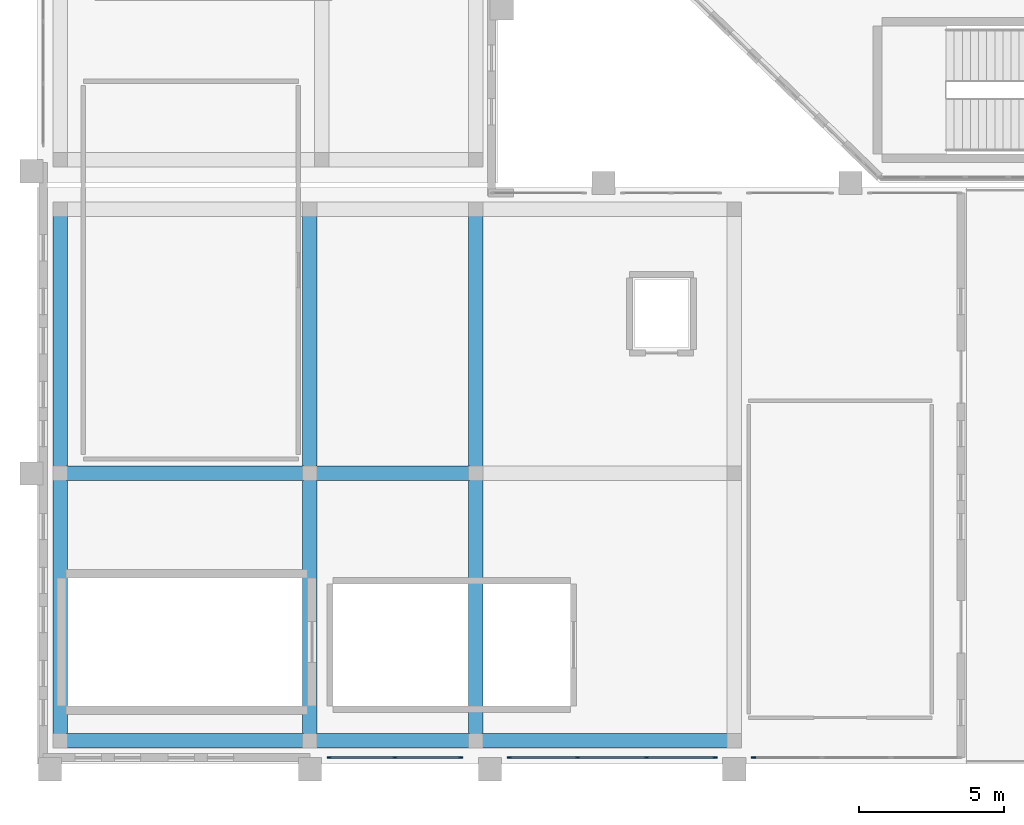
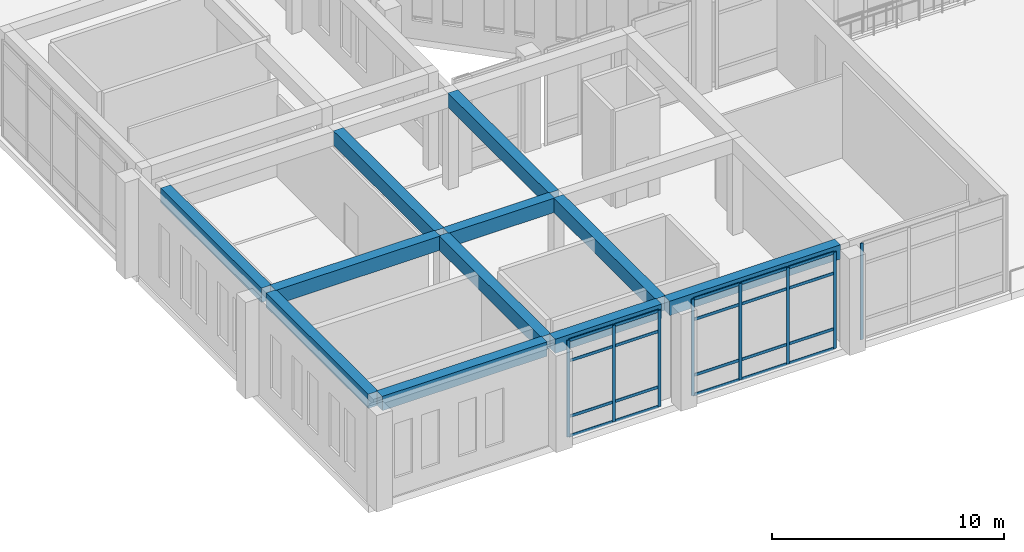
# One storey, part 3 of 55: 28 members, 11 beams, 3 elements without a shape of their own.
"""IFC4 building model written with IfcOpenShell, lengths in metres."""

from ifc_helpers import new_model, si_unit, derived_unit, direction, frame, origin, origin_2d, place, context, subcontext, project, spatial, rectangle, extrude, material, layer, layer_set, material_profile, profile_set, type_object, element, aggregate, save


model = new_model("IFC4")

# Units and contexts
model_context = context("Model", 3, precision=1e-05, world=origin(), true_north=direction((0.0, 1.0)))
body_context = subcontext(model_context, "Body", "Model", "MODEL_VIEW")
ifc_project = project(units=[si_unit("LENGTHUNIT", "METRE"), si_unit("AREAUNIT", "SQUARE_METRE"), si_unit("VOLUMEUNIT", "CUBIC_METRE"), si_unit("PLANEANGLEUNIT", "RADIAN"), si_unit("MASSUNIT", "GRAM", prefix="KILO"), derived_unit("THERMALTRANSMITTANCEUNIT", [(si_unit("MASSUNIT", "GRAM", prefix="KILO"), 1), (si_unit("TIMEUNIT", "SECOND"), -3), (si_unit("THERMODYNAMICTEMPERATUREUNIT", "KELVIN"), -1)])], contexts=[model_context])

# Site, building, storey
site_placement = place(None, origin())
site = spatial("IfcSite", under=ifc_project, at=site_placement, CompositionType="ELEMENT")
building_placement = place(site_placement, origin())
building = spatial("IfcBuilding", under=site, at=building_placement, Name="Valcora Ridge Arena", CompositionType="ELEMENT")
storey_placement = place(building_placement, frame((0.0, 0.0, 21.0)))
storey = spatial("IfcBuildingStorey", under=building, at=storey_placement, Name="L04", CompositionType="ELEMENT", Elevation=21.0)

# Beams
ifc_material_1 = material(Name="Concrete C40/50", Category="concrete")
ifc_material_profile_1 = material_profile(ifc_material_1, rectangle(XDim=0.5, YDim=0.75, at=origin_2d()), Name="RC 500x750")
ifc_profile_set_1 = profile_set([ifc_material_profile_1], Name="Concrete C40/50")
beam_type_1 = type_object("IfcBeamType", Name="TY-BEAM-B-RC500-X", PredefinedType="BEAM", material=ifc_profile_set_1)
beam_1_placement = place(storey_placement, frame((1.0, 10.0, 4.705078125), z_axis=(1.0, 0.0, 0.0), x_axis=(0.0, 1.0, 0.0)))
element("IfcBeam", 1, at=beam_1_placement, inside=storey, type_object=beam_type_1, Name="B-RC500-X BEM-B-RC500-X-0089", PredefinedType="BEAM", context=body_context, shape_type="SweptSolid", body=[
    extrude(rectangle(XDim=0.5, YDim=0.75, at=origin_2d()), origin(), (0.0, 0.0, 1.0), 8.199951171875),
])
beam_2_placement = place(storey_placement, frame((9.60009765625, 10.0, 4.705078125), z_axis=(1.0, 0.0, 0.0), x_axis=(0.0, 1.0, 0.0)))
element("IfcBeam", 2, at=beam_2_placement, inside=storey, type_object=beam_type_1, Name="B-RC500-X BEM-B-RC500-X-0090", PredefinedType="BEAM", context=body_context, shape_type="SweptSolid", body=[
    extrude(rectangle(XDim=0.5, YDim=0.75, at=origin_2d()), origin(), (0.0, 0.0, 1.0), 5.2998046875),
])
ifc_material_profile_2 = material_profile(ifc_material_1, rectangle(XDim=0.5, YDim=0.75, at=origin_2d()), Name="RC 500x750")
ifc_profile_set_2 = profile_set([ifc_material_profile_2], Name="Concrete C40/50")
beam_type_2 = type_object("IfcBeamType", Name="TY-BEAM-B-RC500-Y", PredefinedType="BEAM", material=ifc_profile_set_2)
beam_3_placement = place(storey_placement, frame((0.800048828125, 1.0, 4.705078125), z_axis=(0.0, 1.0, 0.0), x_axis=(-1.0, 0.0, 0.0)))
element("IfcBeam", 3, at=beam_3_placement, inside=storey, type_object=beam_type_2, Name="B-RC500-Y BEM-B-RC500-Y-0107", PredefinedType="BEAM", context=body_context, shape_type="SweptSolid", body=[
    extrude(rectangle(XDim=0.5, YDim=0.75, at=origin_2d()), origin(), (0.0, 0.0, 1.0), 8.800048828125),
])
beam_4_placement = place(storey_placement, frame((0.800048828125, 10.199951171875, 4.705078125), z_axis=(0.0, 1.0, 0.0), x_axis=(-1.0, 0.0, 0.0)))
element("IfcBeam", 4, at=beam_4_placement, inside=storey, type_object=beam_type_2, Name="B-RC500-Y BEM-B-RC500-Y-0108", PredefinedType="BEAM", context=body_context, shape_type="SweptSolid", body=[
    extrude(rectangle(XDim=0.5, YDim=0.75, at=origin_2d()), origin(), (0.0, 0.0, 1.0), 8.699951171875),
])
beam_5_placement = place(storey_placement, frame((9.39990234375, 1.0, 4.705078125), z_axis=(0.0, 1.0, 0.0), x_axis=(-1.0, 0.0, 0.0)))
element("IfcBeam", 5, at=beam_5_placement, inside=storey, type_object=beam_type_2, Name="B-RC500-Y BEM-B-RC500-Y-0110", PredefinedType="BEAM", context=body_context, shape_type="SweptSolid", body=[
    extrude(rectangle(XDim=0.5, YDim=0.75, at=origin_2d()), origin(), (0.0, 0.0, 1.0), 8.800048828125),
])
beam_6_placement = place(storey_placement, frame((9.39990234375, 10.199951171875, 4.705078125), z_axis=(0.0, 1.0, 0.0), x_axis=(-1.0, 0.0, 0.0)))
element("IfcBeam", 6, at=beam_6_placement, inside=storey, type_object=beam_type_2, Name="B-RC500-Y BEM-B-RC500-Y-0111", PredefinedType="BEAM", context=body_context, shape_type="SweptSolid", body=[
    extrude(rectangle(XDim=0.5, YDim=0.75, at=origin_2d()), origin(), (0.0, 0.0, 1.0), 8.699951171875),
])
beam_7_placement = place(storey_placement, frame((15.10009765625, 1.0, 4.705078125), z_axis=(0.0, 1.0, 0.0), x_axis=(-1.0, 0.0, 0.0)))
element("IfcBeam", 7, at=beam_7_placement, inside=storey, type_object=beam_type_2, Name="B-RC500-Y BEM-B-RC500-Y-0113", PredefinedType="BEAM", context=body_context, shape_type="SweptSolid", body=[
    extrude(rectangle(XDim=0.5, YDim=0.75, at=origin_2d()), origin(), (0.0, 0.0, 1.0), 8.800048828125),
])
beam_8_placement = place(storey_placement, frame((15.10009765625, 10.199951171875, 4.705078125), z_axis=(0.0, 1.0, 0.0), x_axis=(-1.0, 0.0, 0.0)))
element("IfcBeam", 8, at=beam_8_placement, inside=storey, type_object=beam_type_2, Name="B-RC500-Y BEM-B-RC500-Y-0114", PredefinedType="BEAM", context=body_context, shape_type="SweptSolid", body=[
    extrude(rectangle(XDim=0.5, YDim=0.75, at=origin_2d()), origin(), (0.0, 0.0, 1.0), 8.699951171875),
])
ifc_material_profile_3 = material_profile(ifc_material_1, rectangle(XDim=0.5, YDim=0.75, at=origin_2d()), Name="RC 500x750")
ifc_profile_set_3 = profile_set([ifc_material_profile_3], Name="Concrete C40/50")
beam_type_3 = type_object("IfcBeamType", Name="TY-BEAM-EB-RC500", PredefinedType="BEAM", material=ifc_profile_set_3)
beam_9_placement = place(storey_placement, frame((1.0, 0.800048828125, 4.705078125), z_axis=(1.0, 0.0, 0.0), x_axis=(0.0, 1.0, 0.0)))
element("IfcBeam", 9, at=beam_9_placement, inside=storey, type_object=beam_type_3, Name="EB-RC500 BEM-EB-RC500-0029", PredefinedType="BEAM", context=body_context, shape_type="SweptSolid", body=[
    extrude(rectangle(XDim=0.5, YDim=0.75, at=origin_2d()), origin(), (0.0, 0.0, 1.0), 8.199951171875),
])
beam_10_placement = place(storey_placement, frame((9.60009765625, 0.800048828125, 4.705078125), z_axis=(1.0, 0.0, 0.0), x_axis=(0.0, 1.0, 0.0)))
element("IfcBeam", 10, at=beam_10_placement, inside=storey, type_object=beam_type_3, Name="EB-RC500 BEM-EB-RC500-0030", PredefinedType="BEAM", context=body_context, shape_type="SweptSolid", body=[
    extrude(rectangle(XDim=0.5, YDim=0.75, at=origin_2d()), origin(), (0.0, 0.0, 1.0), 5.2998046875),
])
beam_11_placement = place(storey_placement, frame((15.300048828125, 0.800048828125, 4.705078125), z_axis=(1.0, 0.0, 0.0), x_axis=(0.0, 1.0, 0.0)))
element("IfcBeam", 11, at=beam_11_placement, inside=storey, type_object=beam_type_3, Name="EB-RC500 BEM-EB-RC500-0031", PredefinedType="BEAM", context=body_context, shape_type="SweptSolid", body=[
    extrude(rectangle(XDim=0.5, YDim=0.75, at=origin_2d()), origin(), (0.0, 0.0, 1.0), 8.5),
])

# Curtain wall, members
ifc_material_2 = material(Name="Anodised dark bronze architectural aluminium 6063-T6", Category="aluminium")
ifc_layer_1 = layer(ifc_material_2, 0.14990234375, Name="Anodised dark bronze architectural aluminium 6063-T6")
ifc_layer_set_1 = layer_set([ifc_layer_1], Name="Anodised dark bronze architectural aluminium 6063-T6")
curtain_wall_type_1 = type_object("IfcCurtainWallType", Name="TY-CURTAINWALL-CW-V4-CLUB-046X51", PredefinedType="NOTDEFINED", material=ifc_layer_set_1)
curtain_wall_1_placement = place(storey_placement, origin())
curtain_wall_1 = element("IfcCurtainWall", 12, at=curtain_wall_1_placement, inside=storey, type_object=curtain_wall_type_1, Name="CW-V4-CLUB-046X51 CW-0297", PredefinedType="NOTDEFINED")
ifc_material_profile_4 = material_profile(ifc_material_2, rectangle(XDim=0.050048828125, YDim=0.14990234375, at=origin_2d()), Name="ALU MULLION 50x150")
ifc_profile_set_4 = profile_set([ifc_material_profile_4], Name="Anodised dark bronze architectural aluminium 6063-T6")
member_type_1 = type_object("IfcMemberType", Name="TY-MEM-CWM-50x150", PredefinedType="MULLION", material=ifc_profile_set_4)
member_1_placement = place(storey_placement, frame((10.06494140625, 0.219970703125, 0.0), z_axis=(0.0, 0.0, 1.0), x_axis=(0.0, 1.0, 0.0)))
member_1 = element("IfcMember", 13, at=member_1_placement, type_object=member_type_1, Name="CW-0297/CWM-50x150/M00", PredefinedType="MULLION", context=body_context, shape_type="SweptSolid", body=[
    extrude(rectangle(XDim=0.050048828125, YDim=0.14990234375, at=origin_2d()), origin(), (0.0, 0.0, 1.0), 5.080078125),
])
member_2_placement = place(storey_placement, frame((12.324951171875, 0.219970703125, 0.0), z_axis=(0.0, 0.0, 1.0), x_axis=(0.0, 1.0, 0.0)))
member_2 = element("IfcMember", 14, at=member_2_placement, type_object=member_type_1, Name="CW-0297/CWM-50x150/M01", PredefinedType="MULLION", context=body_context, shape_type="SweptSolid", body=[
    extrude(rectangle(XDim=0.050048828125, YDim=0.14990234375, at=origin_2d()), origin(), (0.0, 0.0, 1.0), 5.080078125),
])
member_3_placement = place(storey_placement, frame((14.5849609375, 0.219970703125, 0.0), z_axis=(0.0, 0.0, 1.0), x_axis=(0.0, 1.0, 0.0)))
member_3 = element("IfcMember", 15, at=member_3_placement, type_object=member_type_1, Name="CW-0297/CWM-50x150/M02", PredefinedType="MULLION", context=body_context, shape_type="SweptSolid", body=[
    extrude(rectangle(XDim=0.050048828125, YDim=0.14990234375, at=origin_2d()), origin(), (0.0, 0.0, 1.0), 5.080078125),
])

ifc_layer_2 = layer(ifc_material_2, 0.14990234375, Name="Anodised dark bronze architectural aluminium 6063-T6")
ifc_layer_set_2 = layer_set([ifc_layer_2], Name="Anodised dark bronze architectural aluminium 6063-T6")
curtain_wall_type_2 = type_object("IfcCurtainWallType", Name="TY-CURTAINWALL-CW-V4-CLUB-071X51", PredefinedType="NOTDEFINED", material=ifc_layer_set_2)
curtain_wall_2_placement = place(storey_placement, origin())
curtain_wall_2 = element("IfcCurtainWall", 16, at=curtain_wall_2_placement, inside=storey, type_object=curtain_wall_type_2, Name="CW-V4-CLUB-071X51 CW-0298", PredefinedType="NOTDEFINED")
member_4_placement = place(storey_placement, frame((16.264892578125, 0.219970703125, 0.0), z_axis=(0.0, 0.0, 1.0), x_axis=(0.0, 1.0, 0.0)))
member_4 = element("IfcMember", 17, at=member_4_placement, type_object=member_type_1, Name="CW-0298/CWM-50x150/M00", PredefinedType="MULLION", context=body_context, shape_type="SweptSolid", body=[
    extrude(rectangle(XDim=0.050048828125, YDim=0.14990234375, at=origin_2d()), origin(), (0.0, 0.0, 1.0), 5.080078125),
])
member_5_placement = place(storey_placement, frame((18.61328125, 0.219970703125, 0.0), z_axis=(0.0, 0.0, 1.0), x_axis=(0.0, 1.0, 0.0)))
member_5 = element("IfcMember", 18, at=member_5_placement, type_object=member_type_1, Name="CW-0298/CWM-50x150/M01", PredefinedType="MULLION", context=body_context, shape_type="SweptSolid", body=[
    extrude(rectangle(XDim=0.050048828125, YDim=0.14990234375, at=origin_2d()), origin(), (0.0, 0.0, 1.0), 5.080078125),
])
member_6_placement = place(storey_placement, frame((20.98681640625, 0.219970703125, 0.0), z_axis=(0.0, 0.0, 1.0), x_axis=(0.0, 1.0, 0.0)))
member_6 = element("IfcMember", 19, at=member_6_placement, type_object=member_type_1, Name="CW-0298/CWM-50x150/M02", PredefinedType="MULLION", context=body_context, shape_type="SweptSolid", body=[
    extrude(rectangle(XDim=0.050048828125, YDim=0.14990234375, at=origin_2d()), origin(), (0.0, 0.0, 1.0), 5.080078125),
])
member_7_placement = place(storey_placement, frame((23.3349609375, 0.219970703125, 0.0), z_axis=(0.0, 0.0, 1.0), x_axis=(0.0, 1.0, 0.0)))
member_7 = element("IfcMember", 20, at=member_7_placement, type_object=member_type_1, Name="CW-0298/CWM-50x150/M03", PredefinedType="MULLION", context=body_context, shape_type="SweptSolid", body=[
    extrude(rectangle(XDim=0.050048828125, YDim=0.14990234375, at=origin_2d()), origin(), (0.0, 0.0, 1.0), 5.080078125),
])

# Curtain wall, member
curtain_wall_3_placement = place(storey_placement, origin())
curtain_wall_3 = element("IfcCurtainWall", 21, at=curtain_wall_3_placement, inside=storey, type_object=curtain_wall_type_2, Name="CW-V4-CLUB-071X51 CW-0299", PredefinedType="NOTDEFINED")
member_8_placement = place(storey_placement, frame((24.6650390625, 0.219970703125, 0.0), z_axis=(0.0, 0.0, 1.0), x_axis=(0.0, 1.0, 0.0)))
member_8 = element("IfcMember", 22, at=member_8_placement, type_object=member_type_1, Name="CW-0299/CWM-50x150/M00", PredefinedType="MULLION", context=body_context, shape_type="SweptSolid", body=[
    extrude(rectangle(XDim=0.050048828125, YDim=0.14990234375, at=origin_2d()), origin(), (0.0, 0.0, 1.0), 5.080078125),
])
aggregate(curtain_wall_3, [member_8])

# Member
ifc_material_profile_5 = material_profile(ifc_material_2, rectangle(XDim=0.050048828125, YDim=0.14990234375, at=origin_2d()), Name="ALU TRANSOM 50x150")
ifc_profile_set_5 = profile_set([ifc_material_profile_5], Name="Anodised dark bronze architectural aluminium 6063-T6")
member_type_2 = type_object("IfcMemberType", Name="TY-MEM-CWT-50x150", PredefinedType="USERDEFINED", material=ifc_profile_set_5)
member_9_placement = place(storey_placement, frame((10.090087890625, 0.219970703125, 0.02490234375), z_axis=(1.0, 0.0, 0.0), x_axis=(0.0, 1.0, 0.0)))
member_9 = element("IfcMember", 23, at=member_9_placement, type_object=member_type_2, Name="CW-0297/CWT-50x150/T00-00", ObjectType="TRANSOM", PredefinedType="USERDEFINED", context=body_context, shape_type="SweptSolid", body=[
    extrude(rectangle(XDim=0.050048828125, YDim=0.14990234375, at=origin_2d()), origin(), (0.0, 0.0, 1.0), 2.2099609375),
])

member_10_placement = place(storey_placement, frame((10.090087890625, 0.219970703125, 1.050048828125), z_axis=(1.0, 0.0, 0.0), x_axis=(0.0, 1.0, 0.0)))
member_10 = element("IfcMember", 24, at=member_10_placement, type_object=member_type_2, Name="CW-0297/CWT-50x150/T00-01", ObjectType="TRANSOM", PredefinedType="USERDEFINED", context=body_context, shape_type="SweptSolid", body=[
    extrude(rectangle(XDim=0.050048828125, YDim=0.14990234375, at=origin_2d()), origin(), (0.0, 0.0, 1.0), 2.2099609375),
])

member_11_placement = place(storey_placement, frame((10.090087890625, 0.219970703125, 3.97998046875), z_axis=(1.0, 0.0, 0.0), x_axis=(0.0, 1.0, 0.0)))
member_11 = element("IfcMember", 25, at=member_11_placement, type_object=member_type_2, Name="CW-0297/CWT-50x150/T00-02", ObjectType="TRANSOM", PredefinedType="USERDEFINED", context=body_context, shape_type="SweptSolid", body=[
    extrude(rectangle(XDim=0.050048828125, YDim=0.14990234375, at=origin_2d()), origin(), (0.0, 0.0, 1.0), 2.2099609375),
])

member_12_placement = place(storey_placement, frame((10.090087890625, 0.219970703125, 5.054931640625), z_axis=(1.0, 0.0, 0.0), x_axis=(0.0, 1.0, 0.0)))
member_12 = element("IfcMember", 26, at=member_12_placement, type_object=member_type_2, Name="CW-0297/CWT-50x150/T00-03", ObjectType="TRANSOM", PredefinedType="USERDEFINED", context=body_context, shape_type="SweptSolid", body=[
    extrude(rectangle(XDim=0.050048828125, YDim=0.14990234375, at=origin_2d()), origin(), (0.0, 0.0, 1.0), 2.2099609375),
])

member_13_placement = place(storey_placement, frame((12.35009765625, 0.219970703125, 0.02490234375), z_axis=(1.0, 0.0, 0.0), x_axis=(0.0, 1.0, 0.0)))
member_13 = element("IfcMember", 27, at=member_13_placement, type_object=member_type_2, Name="CW-0297/CWT-50x150/T01-00", ObjectType="TRANSOM", PredefinedType="USERDEFINED", context=body_context, shape_type="SweptSolid", body=[
    extrude(rectangle(XDim=0.050048828125, YDim=0.14990234375, at=origin_2d()), origin(), (0.0, 0.0, 1.0), 2.2099609375),
])

member_14_placement = place(storey_placement, frame((12.35009765625, 0.219970703125, 1.050048828125), z_axis=(1.0, 0.0, 0.0), x_axis=(0.0, 1.0, 0.0)))
member_14 = element("IfcMember", 28, at=member_14_placement, type_object=member_type_2, Name="CW-0297/CWT-50x150/T01-01", ObjectType="TRANSOM", PredefinedType="USERDEFINED", context=body_context, shape_type="SweptSolid", body=[
    extrude(rectangle(XDim=0.050048828125, YDim=0.14990234375, at=origin_2d()), origin(), (0.0, 0.0, 1.0), 2.2099609375),
])

member_15_placement = place(storey_placement, frame((12.35009765625, 0.219970703125, 3.97998046875), z_axis=(1.0, 0.0, 0.0), x_axis=(0.0, 1.0, 0.0)))
member_15 = element("IfcMember", 29, at=member_15_placement, type_object=member_type_2, Name="CW-0297/CWT-50x150/T01-02", ObjectType="TRANSOM", PredefinedType="USERDEFINED", context=body_context, shape_type="SweptSolid", body=[
    extrude(rectangle(XDim=0.050048828125, YDim=0.14990234375, at=origin_2d()), origin(), (0.0, 0.0, 1.0), 2.2099609375),
])

member_16_placement = place(storey_placement, frame((12.35009765625, 0.219970703125, 5.054931640625), z_axis=(1.0, 0.0, 0.0), x_axis=(0.0, 1.0, 0.0)))
member_16 = element("IfcMember", 30, at=member_16_placement, type_object=member_type_2, Name="CW-0297/CWT-50x150/T01-03", ObjectType="TRANSOM", PredefinedType="USERDEFINED", context=body_context, shape_type="SweptSolid", body=[
    extrude(rectangle(XDim=0.050048828125, YDim=0.14990234375, at=origin_2d()), origin(), (0.0, 0.0, 1.0), 2.2099609375),
])

aggregate(curtain_wall_1, [member_1, member_2, member_3, member_9, member_10, member_11, member_12, member_13, member_14, member_15, member_16])

member_17_placement = place(storey_placement, frame((16.2900390625, 0.219970703125, 0.02490234375), z_axis=(1.0, 0.0, 0.0), x_axis=(0.0, 1.0, 0.0)))
member_17 = element("IfcMember", 31, at=member_17_placement, type_object=member_type_2, Name="CW-0298/CWT-50x150/T00-00", ObjectType="TRANSOM", PredefinedType="USERDEFINED", context=body_context, shape_type="SweptSolid", body=[
    extrude(rectangle(XDim=0.050048828125, YDim=0.14990234375, at=origin_2d()), origin(), (0.0, 0.0, 1.0), 2.2978515625),
])

member_18_placement = place(storey_placement, frame((16.2900390625, 0.219970703125, 1.050048828125), z_axis=(1.0, 0.0, 0.0), x_axis=(0.0, 1.0, 0.0)))
member_18 = element("IfcMember", 32, at=member_18_placement, type_object=member_type_2, Name="CW-0298/CWT-50x150/T00-01", ObjectType="TRANSOM", PredefinedType="USERDEFINED", context=body_context, shape_type="SweptSolid", body=[
    extrude(rectangle(XDim=0.050048828125, YDim=0.14990234375, at=origin_2d()), origin(), (0.0, 0.0, 1.0), 2.2978515625),
])

member_19_placement = place(storey_placement, frame((16.2900390625, 0.219970703125, 3.97998046875), z_axis=(1.0, 0.0, 0.0), x_axis=(0.0, 1.0, 0.0)))
member_19 = element("IfcMember", 33, at=member_19_placement, type_object=member_type_2, Name="CW-0298/CWT-50x150/T00-02", ObjectType="TRANSOM", PredefinedType="USERDEFINED", context=body_context, shape_type="SweptSolid", body=[
    extrude(rectangle(XDim=0.050048828125, YDim=0.14990234375, at=origin_2d()), origin(), (0.0, 0.0, 1.0), 2.2978515625),
])

member_20_placement = place(storey_placement, frame((16.2900390625, 0.219970703125, 5.054931640625), z_axis=(1.0, 0.0, 0.0), x_axis=(0.0, 1.0, 0.0)))
member_20 = element("IfcMember", 34, at=member_20_placement, type_object=member_type_2, Name="CW-0298/CWT-50x150/T00-03", ObjectType="TRANSOM", PredefinedType="USERDEFINED", context=body_context, shape_type="SweptSolid", body=[
    extrude(rectangle(XDim=0.050048828125, YDim=0.14990234375, at=origin_2d()), origin(), (0.0, 0.0, 1.0), 2.2978515625),
])

member_21_placement = place(storey_placement, frame((18.637939453125, 0.219970703125, 0.02490234375), z_axis=(1.0, 0.0, 0.0), x_axis=(0.0, 1.0, 0.0)))
member_21 = element("IfcMember", 35, at=member_21_placement, type_object=member_type_2, Name="CW-0298/CWT-50x150/T01-00", ObjectType="TRANSOM", PredefinedType="USERDEFINED", context=body_context, shape_type="SweptSolid", body=[
    extrude(rectangle(XDim=0.050048828125, YDim=0.14990234375, at=origin_2d()), origin(), (0.0, 0.0, 1.0), 2.323974609375),
])

member_22_placement = place(storey_placement, frame((18.637939453125, 0.219970703125, 1.050048828125), z_axis=(1.0, 0.0, 0.0), x_axis=(0.0, 1.0, 0.0)))
member_22 = element("IfcMember", 36, at=member_22_placement, type_object=member_type_2, Name="CW-0298/CWT-50x150/T01-01", ObjectType="TRANSOM", PredefinedType="USERDEFINED", context=body_context, shape_type="SweptSolid", body=[
    extrude(rectangle(XDim=0.050048828125, YDim=0.14990234375, at=origin_2d()), origin(), (0.0, 0.0, 1.0), 2.323974609375),
])

member_23_placement = place(storey_placement, frame((18.637939453125, 0.219970703125, 3.97998046875), z_axis=(1.0, 0.0, 0.0), x_axis=(0.0, 1.0, 0.0)))
member_23 = element("IfcMember", 37, at=member_23_placement, type_object=member_type_2, Name="CW-0298/CWT-50x150/T01-02", ObjectType="TRANSOM", PredefinedType="USERDEFINED", context=body_context, shape_type="SweptSolid", body=[
    extrude(rectangle(XDim=0.050048828125, YDim=0.14990234375, at=origin_2d()), origin(), (0.0, 0.0, 1.0), 2.323974609375),
])

member_24_placement = place(storey_placement, frame((18.637939453125, 0.219970703125, 5.054931640625), z_axis=(1.0, 0.0, 0.0), x_axis=(0.0, 1.0, 0.0)))
member_24 = element("IfcMember", 38, at=member_24_placement, type_object=member_type_2, Name="CW-0298/CWT-50x150/T01-03", ObjectType="TRANSOM", PredefinedType="USERDEFINED", context=body_context, shape_type="SweptSolid", body=[
    extrude(rectangle(XDim=0.050048828125, YDim=0.14990234375, at=origin_2d()), origin(), (0.0, 0.0, 1.0), 2.323974609375),
])

member_25_placement = place(storey_placement, frame((21.011962890625, 0.219970703125, 0.02490234375), z_axis=(1.0, 0.0, 0.0), x_axis=(0.0, 1.0, 0.0)))
member_25 = element("IfcMember", 39, at=member_25_placement, type_object=member_type_2, Name="CW-0298/CWT-50x150/T02-00", ObjectType="TRANSOM", PredefinedType="USERDEFINED", context=body_context, shape_type="SweptSolid", body=[
    extrude(rectangle(XDim=0.050048828125, YDim=0.14990234375, at=origin_2d()), origin(), (0.0, 0.0, 1.0), 2.298095703125),
])

member_26_placement = place(storey_placement, frame((21.011962890625, 0.219970703125, 1.050048828125), z_axis=(1.0, 0.0, 0.0), x_axis=(0.0, 1.0, 0.0)))
member_26 = element("IfcMember", 40, at=member_26_placement, type_object=member_type_2, Name="CW-0298/CWT-50x150/T02-01", ObjectType="TRANSOM", PredefinedType="USERDEFINED", context=body_context, shape_type="SweptSolid", body=[
    extrude(rectangle(XDim=0.050048828125, YDim=0.14990234375, at=origin_2d()), origin(), (0.0, 0.0, 1.0), 2.298095703125),
])

member_27_placement = place(storey_placement, frame((21.011962890625, 0.219970703125, 3.97998046875), z_axis=(1.0, 0.0, 0.0), x_axis=(0.0, 1.0, 0.0)))
member_27 = element("IfcMember", 41, at=member_27_placement, type_object=member_type_2, Name="CW-0298/CWT-50x150/T02-02", ObjectType="TRANSOM", PredefinedType="USERDEFINED", context=body_context, shape_type="SweptSolid", body=[
    extrude(rectangle(XDim=0.050048828125, YDim=0.14990234375, at=origin_2d()), origin(), (0.0, 0.0, 1.0), 2.298095703125),
])

member_28_placement = place(storey_placement, frame((21.011962890625, 0.219970703125, 5.054931640625), z_axis=(1.0, 0.0, 0.0), x_axis=(0.0, 1.0, 0.0)))
member_28 = element("IfcMember", 42, at=member_28_placement, type_object=member_type_2, Name="CW-0298/CWT-50x150/T02-03", ObjectType="TRANSOM", PredefinedType="USERDEFINED", context=body_context, shape_type="SweptSolid", body=[
    extrude(rectangle(XDim=0.050048828125, YDim=0.14990234375, at=origin_2d()), origin(), (0.0, 0.0, 1.0), 2.298095703125),
])

aggregate(curtain_wall_2, [member_4, member_5, member_6, member_7, member_17, member_18, member_19, member_20, member_21, member_22, member_23, member_24, member_25, member_26, member_27, member_28])

save(model, "model.ifc")
